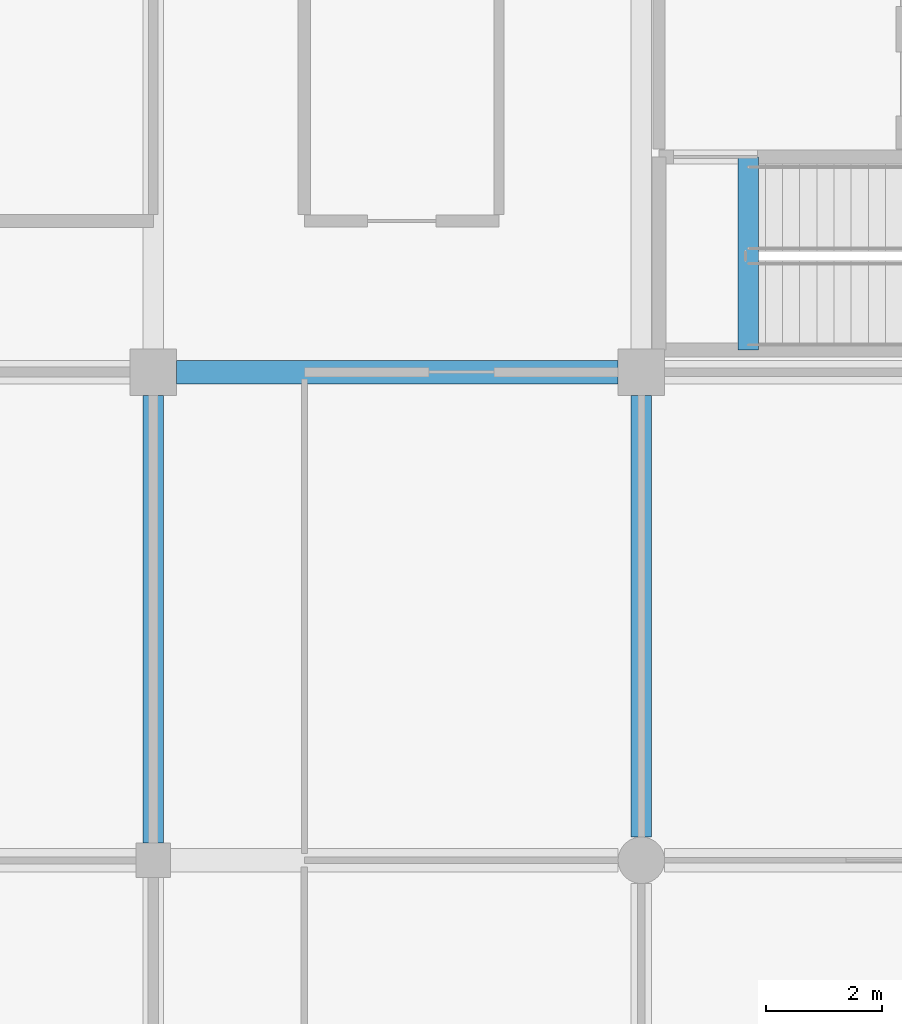
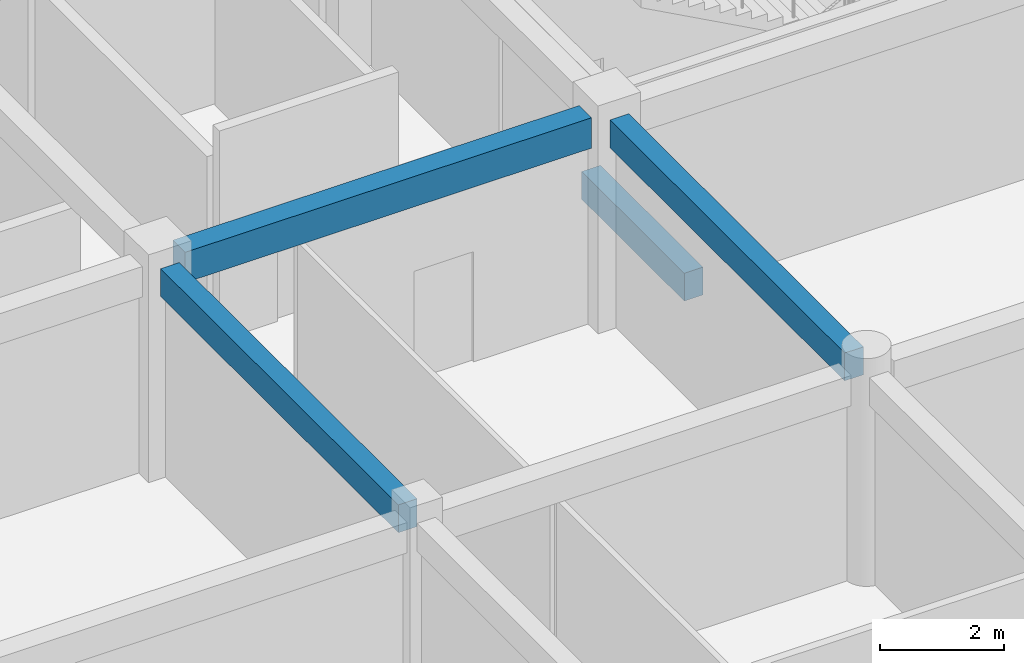
# One storey, part 48 of 144: 4 beams.
"""IFC4 building model written with IfcOpenShell, lengths in metres."""

from ifc_helpers import new_model, si_unit, direction, frame, origin, origin_2d, place, context, subcontext, project, spatial, rectangle, extrude, material, material_profile, profile_set, type_object, element, save


model = new_model("IFC4")

# Units and contexts
model_context = context("Model", 3, precision=1e-05, world=origin(), true_north=direction((0.0, 1.0)))
body_context = subcontext(model_context, "Body", "Model", "MODEL_VIEW")
ifc_project = project(units=[si_unit("LENGTHUNIT", "METRE"), si_unit("AREAUNIT", "SQUARE_METRE"), si_unit("VOLUMEUNIT", "CUBIC_METRE"), si_unit("PLANEANGLEUNIT", "RADIAN"), si_unit("MASSUNIT", "GRAM", prefix="KILO")], contexts=[model_context])

# Site, building, storey
site_placement = place(None, origin())
site = spatial("IfcSite", under=ifc_project, at=site_placement, CompositionType="ELEMENT")
building_placement = place(site_placement, origin())
building = spatial("IfcBuilding", under=site, at=building_placement, Name="Bramfleet General Hospital", CompositionType="ELEMENT")
storey_placement = place(building_placement, frame((0.0, 0.0, 4.800048828125)))
storey = spatial("IfcBuildingStorey", under=building, at=storey_placement, Name="L01", CompositionType="ELEMENT", Elevation=4.800048828125)

# Beams
ifc_material = material(Name="Concrete C35/45", Category="concrete")
ifc_material_profile_1 = material_profile(ifc_material, rectangle(XDim=0.35009765625, YDim=0.550048828125, at=origin_2d()), Name="RC BM 550x350")
ifc_profile_set_1 = profile_set([ifc_material_profile_1], Name="Concrete C35/45")
beam_type_1 = type_object("IfcBeamType", Name="BM-RC550", PredefinedType="BEAM", material=ifc_profile_set_1)
beam_1_placement = place(storey_placement, frame((67.199951171875, 84.300048828125, 3.875), z_axis=(0.0, 1.0, 0.0), x_axis=(-1.0, 0.0, 0.0)))
element("IfcBeam", 1, at=beam_1_placement, inside=storey, type_object=beam_type_1, Name="L01 Grid Beam Y 08-10", PredefinedType="BEAM", context=body_context, shape_type="SweptSolid", body=[
    extrude(rectangle(XDim=0.35009765625, YDim=0.550048828125, at=origin_2d()), origin(), (0.0, 0.0, 1.0), 7.699951171875),
])
beam_2_placement = place(storey_placement, frame((75.60009765625, 84.39990234375, 3.875), z_axis=(0.0, 1.0, 0.0), x_axis=(-1.0, 0.0, 0.0)))
element("IfcBeam", 2, at=beam_2_placement, inside=storey, type_object=beam_type_1, Name="L01 Grid Beam Y 09-10", PredefinedType="BEAM", context=body_context, shape_type="SweptSolid", body=[
    extrude(rectangle(XDim=0.35009765625, YDim=0.550048828125, at=origin_2d()), origin(), (0.0, 0.0, 1.0), 7.60009765625),
])
beam_3_placement = place(storey_placement, frame((77.43994140625, 92.780029296875, -0.275146484375), z_axis=(0.0, 1.0, 0.0), x_axis=(-1.0, 0.0, 0.0)))
element("IfcBeam", 3, at=beam_3_placement, inside=storey, type_object=beam_type_1, Name="L01 C5 Stairwell Trimmer Beam", PredefinedType="BEAM", context=body_context, shape_type="SweptSolid", body=[
    extrude(rectangle(XDim=0.35009765625, YDim=0.550048828125, at=origin_2d()), origin(), (0.0, 0.0, 1.0), 3.320068359375),
])
ifc_material_profile_2 = material_profile(ifc_material, rectangle(XDim=0.39990234375, YDim=0.60009765625, at=origin_2d()), Name="RC BM 600x400")
ifc_profile_set_2 = profile_set([ifc_material_profile_2], Name="Concrete C35/45")
beam_type_2 = type_object("IfcBeamType", Name="BM-RC600", PredefinedType="BEAM", material=ifc_profile_set_2)
beam_4_placement = place(storey_placement, frame((67.60009765625, 92.39990234375, 3.849853515625), z_axis=(1.0, 0.0, 0.0), x_axis=(0.0, 1.0, 0.0)))
element("IfcBeam", 4, at=beam_4_placement, inside=storey, type_object=beam_type_2, Name="L01 Grid Beam X 08-11", PredefinedType="BEAM", context=body_context, shape_type="SweptSolid", body=[
    extrude(rectangle(XDim=0.39990234375, YDim=0.60009765625, at=origin_2d()), origin(), (0.0, 0.0, 1.0), 7.599853515625),
])

save(model, "model.ifc")
